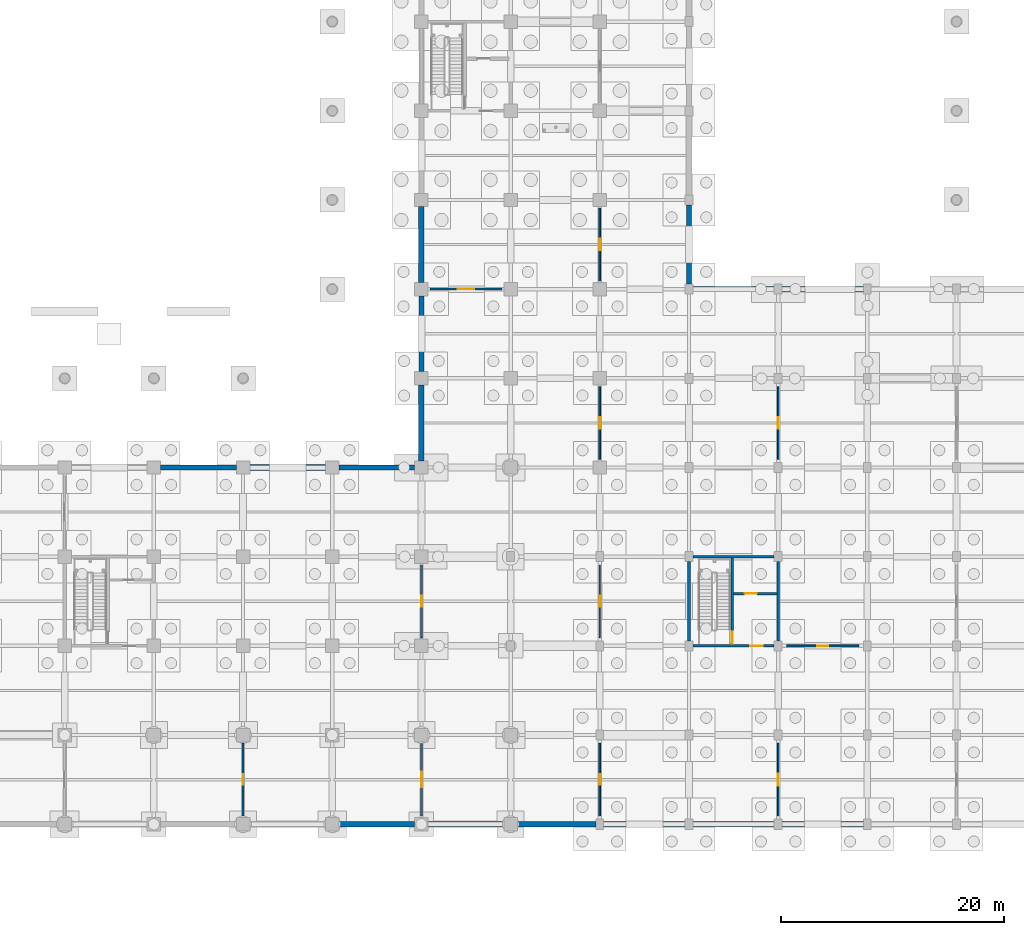
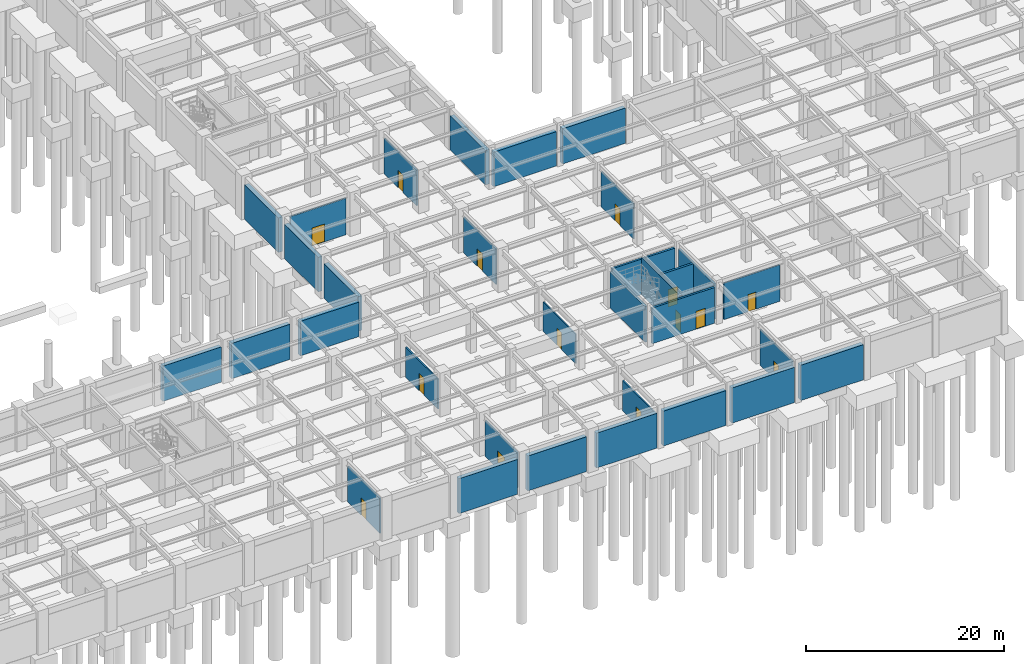
# One storey, part 74 of 97: 32 walls, 14 doors, 14 openings.
"""IFC4 building model written with IfcOpenShell, lengths in metres."""

from ifc_helpers import new_model, si_unit, direction, frame, frame_2d, origin, place, context, subcontext, project, spatial, rectangle, extrude, material, layer, layer_set, type_object, element, fill, save


model = new_model("IFC4")

# Units and contexts
model_context = context("Model", 3, precision=1e-05, world=origin(), true_north=direction((0.0, 1.0)))
body_context = subcontext(model_context, "Body", "Model", "MODEL_VIEW")
ifc_project = project(units=[si_unit("LENGTHUNIT", "METRE"), si_unit("AREAUNIT", "SQUARE_METRE"), si_unit("VOLUMEUNIT", "CUBIC_METRE"), si_unit("PLANEANGLEUNIT", "RADIAN"), si_unit("MASSUNIT", "GRAM", prefix="KILO")], contexts=[model_context])

# Site, building, storey
site_placement = place(None, origin())
site = spatial("IfcSite", under=ifc_project, at=site_placement, CompositionType="ELEMENT")
building_placement = place(site_placement, origin())
building = spatial("IfcBuilding", under=site, at=building_placement, Name="Haebicheon Civic Stadium", CompositionType="ELEMENT")
storey_placement = place(building_placement, frame((0.0, 0.0, -5.39990234375)))
storey = spatial("IfcBuildingStorey", under=building, at=storey_placement, Name="B1", CompositionType="ELEMENT", Elevation=-5.39990234375)

# Wall, opening, door
ifc_material_1 = material(Name="Concrete C40/50", Category="concrete")
ifc_layer_1 = layer(ifc_material_1, 0.239990234375, Name="Concrete C40/50")
ifc_layer_set_1 = layer_set([ifc_layer_1], Name="Concrete C40/50")
wall_type_1 = type_object("IfcWallType", Name="CW-SHR-240", PredefinedType="SHEAR", material=ifc_layer_set_1)
wall_1_placement = place(storey_placement, frame((168.35009765625, 16.0, 0.0), z_axis=(0.0, 0.0, 1.0), x_axis=(1.0, 0.0, 0.0)))
wall_1 = element("IfcWall", 1, at=wall_1_placement, inside=storey, type_object=wall_type_1, material=ifc_layer_set_1, Name="KC-14 B1 south core shear wall", PredefinedType="SHEAR", context=body_context, shape_type="SweptSolid", body=[
    extrude(rectangle(XDim=7.2998046875, YDim=0.239990234375, at=frame_2d((3.64990234375, 0.0))), origin(), (0.0, 0.0, 1.0), 4.389892578125),
])
opening_1_placement = place(wall_1_placement, frame((5.14990234375, 0.0, 0.0)))
opening_1 = element("IfcOpeningElement", 2, at=opening_1_placement, cuts=wall_1, Name="Opening D-B1-KC-14-LOB", PredefinedType="OPENING", context=body_context, shape_type="SweptSolid", body=[
    extrude(rectangle(XDim=1.10009765625, YDim=2.199951171875, at=frame_2d((0.550048828125, 1.10009765625))), frame((0.0, 0.1298828125, 0.0), z_axis=(0.0, -1.0, 0.0), x_axis=(1.0, 0.0, 0.0)), (0.0, 0.0, 1.0), 0.260009765625),
])
ifc_material_2 = material(Name="Galvanised painted steel SM355", Category="steel")
door_type_1 = type_object("IfcDoorType", Name="ID-FD-1100", OperationType="NOTDEFINED", PredefinedType="DOOR", material=ifc_material_2)
door_1_placement = place(opening_1_placement, origin())
door_1 = element("IfcDoor", 3, at=door_1_placement, inside=storey, type_object=door_type_1, material=ifc_material_2, Name="B1 KC-14 lobby fire door", OperationType="SINGLE_SWING_RIGHT", OverallHeight=2.199951171875, OverallWidth=1.10009765625, PredefinedType="DOOR", context=body_context, shape_type="SweptSolid", body=[
    extrude(rectangle(XDim=1.10009765625, YDim=2.199951171875, at=frame_2d((0.550048828125, 1.10009765625))), frame((0.0, 0.02490234375, 0.0), z_axis=(0.0, -1.0, 0.0), x_axis=(1.0, 0.0, 0.0)), (0.0, 0.0, 1.0), 0.050048828125),
])
fill(opening_1, door_1)

# Walls
wall_2_placement = place(storey_placement, frame((168.35009765625, 24.0, 0.0), z_axis=(0.0, 0.0, 1.0), x_axis=(1.0, 0.0, 0.0)))
element("IfcWall", 4, at=wall_2_placement, inside=storey, type_object=wall_type_1, material=ifc_layer_set_1, Name="KC-14 B1 north core shear wall", PredefinedType="SHEAR", context=body_context, shape_type="SweptSolid", body=[
    extrude(rectangle(XDim=7.2998046875, YDim=0.239990234375, at=frame_2d((3.64990234375, 0.0))), origin(), (0.0, 0.0, 1.0), 4.389892578125),
])
for number, where, z_axis, x_axis, name in (
    (5, (168.0, 16.449951171875, 0.0), (0.0, 0.0, 1.0), (0.0, 1.0, 0.0), "KC-14 B1 west core shear wall"),
    (6, (176.0, 16.449951171875, 0.0), (0.0, 0.0, 1.0), (0.0, 1.0, 0.0), "KC-14 B1 east core shear wall"),
):
    element("IfcWall", number, at=place(storey_placement, frame(where, z_axis=z_axis, x_axis=x_axis)), inside=storey, type_object=wall_type_1, material=ifc_layer_set_1, Name=name, PredefinedType="SHEAR", context=body_context, shape_type="SweptSolid", body=[
        extrude(rectangle(XDim=7.10009765625, YDim=0.239990234375, at=frame_2d((3.550048828125, 0.0))), origin(), (0.0, 0.0, 1.0), 4.389892578125),
    ])

# Wall, opening, door
wall_3_placement = place(storey_placement, frame((171.8798828125, 16.1201171875, 0.0), z_axis=(0.0, 0.0, 1.0), x_axis=(0.0, 1.0, 0.0)))
wall_3 = element("IfcWall", 7, at=wall_3_placement, inside=storey, type_object=wall_type_1, material=ifc_layer_set_1, Name="KC-14 B1 stair-lobby dividing shear wall", PredefinedType="SHEAR", context=body_context, shape_type="SweptSolid", body=[
    extrude(rectangle(XDim=7.759765625, YDim=0.239990234375, at=frame_2d((3.8798828125, 0.0))), origin(), (0.0, 0.0, 1.0), 4.58984375),
])
opening_2_placement = place(wall_3_placement, frame((0.080078125, 0.0, 0.0)))
opening_2 = element("IfcOpeningElement", 8, at=opening_2_placement, cuts=wall_3, Name="Opening D-B1-KC-14-STR", PredefinedType="OPENING", context=body_context, shape_type="SweptSolid", body=[
    extrude(rectangle(XDim=1.050048828125, YDim=2.14990234375, at=frame_2d((0.52490234375, 1.074951171875))), frame((0.0, 0.1298828125, 0.0), z_axis=(0.0, -1.0, 0.0), x_axis=(1.0, 0.0, 0.0)), (0.0, 0.0, 1.0), 0.260009765625),
])
ifc_material_3 = material(Name="Galvanised painted steel SM355", Category="steel")
door_type_2 = type_object("IfcDoorType", Name="ID-FD-1050", OperationType="NOTDEFINED", PredefinedType="DOOR", material=ifc_material_3)
door_2_placement = place(opening_2_placement, origin())
door_2 = element("IfcDoor", 9, at=door_2_placement, inside=storey, type_object=door_type_2, material=ifc_material_3, Name="B1 ST-14 stairwell escape door", OperationType="SINGLE_SWING_LEFT", OverallHeight=2.14990234375, OverallWidth=1.050048828125, PredefinedType="DOOR", context=body_context, shape_type="SweptSolid", body=[
    extrude(rectangle(XDim=1.050048828125, YDim=2.14990234375, at=frame_2d((0.52490234375, 1.074951171875))), frame((0.0, 0.02490234375, 0.0), z_axis=(0.0, -1.0, 0.0), x_axis=(1.0, 0.0, 0.0)), (0.0, 0.0, 1.0), 0.050048828125),
])
fill(opening_2, door_2)

wall_4_placement = place(storey_placement, frame((172.0, 20.679931640625, 0.0), z_axis=(0.0, 0.0, 1.0), x_axis=(1.0, 0.0, 0.0)))
wall_4 = element("IfcWall", 10, at=wall_4_placement, inside=storey, type_object=wall_type_1, material=ifc_layer_set_1, Name="KC-14 B1 lift shaft front wall", PredefinedType="SHEAR", context=body_context, shape_type="SweptSolid", body=[
    extrude(rectangle(XDim=3.8798828125, YDim=0.239990234375, at=frame_2d((1.93994140625, 0.0))), origin(), (0.0, 0.0, 1.0), 4.389892578125),
])
opening_3_placement = place(wall_4_placement, frame((1.0, 0.0, 0.0)))
opening_3 = element("IfcOpeningElement", 11, at=opening_3_placement, cuts=wall_4, Name="Opening LD-10-B1", PredefinedType="OPENING", context=body_context, shape_type="SweptSolid", body=[
    extrude(rectangle(XDim=1.10009765625, YDim=2.14990234375, at=frame_2d((0.550048828125, 1.074951171875))), frame((0.0, 0.1298828125, 0.0), z_axis=(0.0, -1.0, 0.0), x_axis=(1.0, 0.0, 0.0)), (0.0, 0.0, 1.0), 0.260009765625),
])
ifc_material_4 = material(Name="Stainless steel 316", Category="steel")
door_type_3 = type_object("IfcDoorType", Name="ID-LD-1100", OperationType="NOTDEFINED", PredefinedType="DOOR", material=ifc_material_4)
door_3_placement = place(opening_3_placement, origin())
door_3 = element("IfcDoor", 12, at=door_3_placement, inside=storey, type_object=door_type_3, material=ifc_material_4, Name="LF-10 lift landing sliding door B1", OperationType="SLIDING_TO_LEFT", OverallHeight=2.14990234375, OverallWidth=1.10009765625, PredefinedType="DOOR", context=body_context, shape_type="SweptSolid", body=[
    extrude(rectangle(XDim=1.10009765625, YDim=2.14990234375, at=frame_2d((0.550048828125, 1.074951171875))), frame((0.0, 0.02490234375, 0.0), z_axis=(0.0, -1.0, 0.0), x_axis=(1.0, 0.0, 0.0)), (0.0, 0.0, 1.0), 0.050048828125),
])
fill(opening_3, door_3)

# Walls
ifc_material_5 = material(Name="Concrete C40/50", Category="concrete")
ifc_layer_2 = layer(ifc_material_5, 0.4599609375, Name="Concrete C40/50")
ifc_layer_set_2 = layer_set([ifc_layer_2], Name="Concrete C40/50")
wall_type_2 = type_object("IfcWallType", Name="EW-RET-460", PredefinedType="STANDARD", material=ifc_layer_set_2)
wall_5_placement = place(storey_placement, frame((120.60009765625, 32.0, 0.0), z_axis=(0.0, 0.0, 1.0), x_axis=(1.0, 0.0, 0.0)))
element("IfcWall", 13, at=wall_5_placement, inside=storey, type_object=wall_type_2, material=ifc_layer_set_2, Name="B1 retaining wall 15-04-N", PredefinedType="STANDARD", context=body_context, shape_type="SweptSolid", body=[
    extrude(rectangle(XDim=6.7998046875, YDim=0.4599609375, at=frame_2d((3.39990234375, 0.0))), origin(), (0.0, 0.0, 1.0), 4.33984375),
])
wall_6_placement = place(storey_placement, frame((136.60009765625, 0.0, 0.0), z_axis=(0.0, 0.0, 1.0), x_axis=(1.0, 0.0, 0.0)))
element("IfcWall", 14, at=wall_6_placement, inside=storey, type_object=wall_type_2, material=ifc_layer_set_2, Name="B1 retaining wall 17-00-S", PredefinedType="STANDARD", context=body_context, shape_type="SweptSolid", body=[
    extrude(rectangle(XDim=6.7998046875, YDim=0.4599609375, at=frame_2d((3.39990234375, 0.0))), origin(), (0.0, 0.0, 1.0), 4.289794921875),
])
for number, where, z_axis, x_axis, name in (
    (15, (136.60009765625, 32.0, 0.0), (0.0, 0.0, 1.0), (1.0, 0.0, 0.0), "B1 retaining wall 17-04-N"),
    (16, (144.0, 40.60009765625, 0.0), (0.0, 0.0, 1.0), (0.0, 1.0, 0.0), "B1 retaining wall 18-05-W"),
):
    element("IfcWall", number, at=place(storey_placement, frame(where, z_axis=z_axis, x_axis=x_axis)), inside=storey, type_object=wall_type_2, material=ifc_layer_set_2, Name=name, PredefinedType="STANDARD", context=body_context, shape_type="SweptSolid", body=[
        extrude(rectangle(XDim=6.7998046875, YDim=0.4599609375, at=frame_2d((3.39990234375, 0.0))), origin(), (0.0, 0.0, 1.0), 4.239990234375),
    ])
wall_7_placement = place(storey_placement, frame((152.60009765625, 0.0, 0.0), z_axis=(0.0, 0.0, 1.0), x_axis=(1.0, 0.0, 0.0)))
element("IfcWall", 17, at=wall_7_placement, inside=storey, type_object=wall_type_2, material=ifc_layer_set_2, Name="B1 retaining wall 19-00-S", PredefinedType="STANDARD", context=body_context, shape_type="SweptSolid", body=[
    extrude(rectangle(XDim=7.0498046875, YDim=0.4599609375, at=frame_2d((3.52490234375, 0.0))), origin(), (0.0, 0.0, 1.0), 4.289794921875),
])
wall_8_placement = place(storey_placement, frame((168.0, 48.449951171875, 0.0), z_axis=(0.0, 0.0, 1.0), x_axis=(0.0, 1.0, 0.0)))
element("IfcWall", 18, at=wall_8_placement, inside=storey, type_object=wall_type_2, material=ifc_layer_set_2, Name="B1 retaining wall 21-06-E", PredefinedType="STANDARD", context=body_context, shape_type="SweptSolid", body=[
    extrude(rectangle(XDim=7.10009765625, YDim=0.4599609375, at=frame_2d((3.550048828125, 0.0))), origin(), (0.0, 0.0, 1.0), 4.239990234375),
])
wall_9_placement = place(storey_placement, frame((168.35009765625, 0.0, 0.0), z_axis=(0.0, 0.0, 1.0), x_axis=(1.0, 0.0, 0.0)))
element("IfcWall", 19, at=wall_9_placement, inside=storey, type_object=wall_type_2, material=ifc_layer_set_2, Name="B1 retaining wall 21-00-S", PredefinedType="STANDARD", context=body_context, shape_type="SweptSolid", body=[
    extrude(rectangle(XDim=7.2998046875, YDim=0.4599609375, at=frame_2d((3.64990234375, 0.0))), origin(), (0.0, 0.0, 1.0), 4.33984375),
])
wall_10_placement = place(storey_placement, frame((168.35009765625, 48.0, 0.0), z_axis=(0.0, 0.0, 1.0), x_axis=(1.0, 0.0, 0.0)))
element("IfcWall", 20, at=wall_10_placement, inside=storey, type_object=wall_type_2, material=ifc_layer_set_2, Name="B1 retaining wall 21-06-N", PredefinedType="STANDARD", context=body_context, shape_type="SweptSolid", body=[
    extrude(rectangle(XDim=7.2998046875, YDim=0.4599609375, at=frame_2d((3.64990234375, 0.0))), origin(), (0.0, 0.0, 1.0), 4.239990234375),
])
ifc_material_6 = material(Name="Concrete C40/50", Category="concrete")
ifc_layer_3 = layer(ifc_material_6, 0.5, Name="Concrete C40/50")
ifc_layer_set_3 = layer_set([ifc_layer_3], Name="Concrete C40/50")
wall_type_3 = type_object("IfcWallType", Name="EW-RET-500", PredefinedType="STANDARD", material=ifc_layer_set_3)
wall_11_placement = place(storey_placement, frame((128.60009765625, 32.0, 0.0), z_axis=(0.0, 0.0, 1.0), x_axis=(1.0, 0.0, 0.0)))
element("IfcWall", 21, at=wall_11_placement, inside=storey, type_object=wall_type_3, material=ifc_layer_set_3, Name="B1 retaining wall 16-04-N", PredefinedType="STANDARD", context=body_context, shape_type="SweptSolid", body=[
    extrude(rectangle(XDim=6.7998046875, YDim=0.5, at=frame_2d((3.39990234375, 0.0))), origin(), (0.0, 0.0, 1.0), 4.33984375),
])
wall_12_placement = place(storey_placement, frame((144.60009765625, 0.0, 0.0), z_axis=(0.0, 0.0, 1.0), x_axis=(1.0, 0.0, 0.0)))
element("IfcWall", 22, at=wall_12_placement, inside=storey, type_object=wall_type_3, material=ifc_layer_set_3, Name="B1 retaining wall 18-00-S", PredefinedType="STANDARD", context=body_context, shape_type="SweptSolid", body=[
    extrude(rectangle(XDim=6.7998046875, YDim=0.5, at=frame_2d((3.39990234375, 0.0))), origin(), (0.0, 0.0, 1.0), 4.289794921875),
])
for number, where, z_axis, x_axis, name in (
    (23, (144.0, 32.60009765625, 0.0), (0.0, 0.0, 1.0), (0.0, 1.0, 0.0), "B1 retaining wall 18-04-W"),
    (24, (144.0, 48.60009765625, 0.0), (0.0, 0.0, 1.0), (0.0, 1.0, 0.0), "B1 retaining wall 18-06-W"),
):
    element("IfcWall", number, at=place(storey_placement, frame(where, z_axis=z_axis, x_axis=x_axis)), inside=storey, type_object=wall_type_3, material=ifc_layer_set_3, Name=name, PredefinedType="STANDARD", context=body_context, shape_type="SweptSolid", body=[
        extrude(rectangle(XDim=6.7998046875, YDim=0.5, at=frame_2d((3.39990234375, 0.0))), origin(), (0.0, 0.0, 1.0), 4.239990234375),
    ])
wall_13_placement = place(storey_placement, frame((160.35009765625, 0.0, 0.0), z_axis=(0.0, 0.0, 1.0), x_axis=(1.0, 0.0, 0.0)))
element("IfcWall", 25, at=wall_13_placement, inside=storey, type_object=wall_type_3, material=ifc_layer_set_3, Name="B1 retaining wall 20-00-S", PredefinedType="STANDARD", context=body_context, shape_type="SweptSolid", body=[
    extrude(rectangle(XDim=7.2998046875, YDim=0.5, at=frame_2d((3.64990234375, 0.0))), origin(), (0.0, 0.0, 1.0), 4.289794921875),
])
for number, where, z_axis, x_axis, name in (
    (26, (176.35009765625, 0.0, 0.0), (0.0, 0.0, 1.0), (1.0, 0.0, 0.0), "B1 retaining wall 22-00-S"),
    (27, (176.35009765625, 48.0, 0.0), (0.0, 0.0, 1.0), (1.0, 0.0, 0.0), "B1 retaining wall 22-06-N"),
):
    element("IfcWall", number, at=place(storey_placement, frame(where, z_axis=z_axis, x_axis=x_axis)), inside=storey, type_object=wall_type_3, material=ifc_layer_set_3, Name=name, PredefinedType="STANDARD", context=body_context, shape_type="SweptSolid", body=[
        extrude(rectangle(XDim=7.2998046875, YDim=0.5, at=frame_2d((3.64990234375, 0.0))), origin(), (0.0, 0.0, 1.0), 4.33984375),
    ])

# Wall, opening, door
ifc_material_7 = material(Name="Gypsum plasterboard on steel studs", Category="gypsum")
ifc_layer_4 = layer(ifc_material_7, 0.1201171875, Name="Gypsum plasterboard on steel studs")
ifc_layer_set_4 = layer_set([ifc_layer_4], Name="Gypsum plasterboard on steel studs")
wall_type_4 = type_object("IfcWallType", Name="IW-PRT-120", PredefinedType="PARTITIONING", material=ifc_layer_set_4)
wall_14_placement = place(storey_placement, frame((160.0, 16.75, 0.0), z_axis=(0.0, 0.0, 1.0), x_axis=(0.0, 1.0, 0.0)))
wall_14 = element("IfcWall", 28, at=wall_14_placement, inside=storey, type_object=wall_type_4, material=ifc_layer_set_4, Name="B1 Broadcast Fibre Patch Room partition wall", PredefinedType="PARTITIONING", context=body_context, shape_type="SweptSolid", body=[
    extrude(rectangle(XDim=6.5, YDim=0.1201171875, at=frame_2d((3.25, 0.0))), origin(), (0.0, 0.0, 1.0), 3.639892578125),
])
opening_4_placement = place(wall_14_placement, frame((2.75, 0.0, 0.0)))
opening_4 = element("IfcOpeningElement", 29, at=opening_4_placement, cuts=wall_14, Name="Opening D-B1-074", PredefinedType="OPENING", context=body_context, shape_type="SweptSolid", body=[
    extrude(rectangle(XDim=1.0, YDim=2.10009765625, at=frame_2d((0.5, 1.050048828125))), frame((0.0, 0.070068359375, 0.0), z_axis=(0.0, -1.0, 0.0), x_axis=(1.0, 0.0, 0.0)), (0.0, 0.0, 1.0), 0.14013671875),
])
ifc_material_8 = material(Name="Engineered hardwood timber", Category="wood")
door_type_4 = type_object("IfcDoorType", Name="ID-RM-1000", OperationType="NOTDEFINED", PredefinedType="DOOR", material=ifc_material_8)
door_4_placement = place(opening_4_placement, origin())
door_4 = element("IfcDoor", 30, at=door_4_placement, inside=storey, type_object=door_type_4, material=ifc_material_8, Name="B1 Broadcast Fibre Patch Room entrance door D-B1-074", OperationType="SINGLE_SWING_RIGHT", OverallHeight=2.10009765625, OverallWidth=1.0, PredefinedType="DOOR", context=body_context, shape_type="SweptSolid", body=[
    extrude(rectangle(XDim=1.0, YDim=2.10009765625, at=frame_2d((0.5, 1.050048828125))), frame((0.0, 0.02490234375, 0.0), z_axis=(0.0, -1.0, 0.0), x_axis=(1.0, 0.0, 0.0)), (0.0, 0.0, 1.0), 0.050048828125),
])
fill(opening_4, door_4)

wall_15_placement = place(storey_placement, frame((176.0, 32.75, 0.0), z_axis=(0.0, 0.0, 1.0), x_axis=(0.0, 1.0, 0.0)))
wall_15 = element("IfcWall", 31, at=wall_15_placement, inside=storey, type_object=wall_type_4, material=ifc_layer_set_4, Name="B1 Broadcast Fibre Patch Room partition wall", PredefinedType="PARTITIONING", context=body_context, shape_type="SweptSolid", body=[
    extrude(rectangle(XDim=6.5, YDim=0.1201171875, at=frame_2d((3.25, 0.0))), origin(), (0.0, 0.0, 1.0), 4.389892578125),
])
opening_5_placement = place(wall_15_placement, frame((2.75, 0.0, 0.0)))
opening_5 = element("IfcOpeningElement", 32, at=opening_5_placement, cuts=wall_15, Name="Opening D-B1-086", PredefinedType="OPENING", context=body_context, shape_type="SweptSolid", body=[
    extrude(rectangle(XDim=1.0, YDim=2.10009765625, at=frame_2d((0.5, 1.050048828125))), frame((0.0, 0.070068359375, 0.0), z_axis=(0.0, -1.0, 0.0), x_axis=(1.0, 0.0, 0.0)), (0.0, 0.0, 1.0), 0.14013671875),
])
door_5_placement = place(opening_5_placement, origin())
door_5 = element("IfcDoor", 33, at=door_5_placement, inside=storey, type_object=door_type_4, material=ifc_material_8, Name="B1 Broadcast Fibre Patch Room entrance door D-B1-086", OperationType="SINGLE_SWING_RIGHT", OverallHeight=2.10009765625, OverallWidth=1.0, PredefinedType="DOOR", context=body_context, shape_type="SweptSolid", body=[
    extrude(rectangle(XDim=1.0, YDim=2.10009765625, at=frame_2d((0.5, 1.050048828125))), frame((0.0, 0.02490234375, 0.0), z_axis=(0.0, -1.0, 0.0), x_axis=(1.0, 0.0, 0.0)), (0.0, 0.0, 1.0), 0.050048828125),
])
fill(opening_5, door_5)

ifc_material_9 = material(Name="Gypsum plasterboard on steel studs", Category="gypsum")
ifc_layer_5 = layer(ifc_material_9, 0.14990234375, Name="Gypsum plasterboard on steel studs")
ifc_layer_set_5 = layer_set([ifc_layer_5], Name="Gypsum plasterboard on steel studs")
wall_type_5 = type_object("IfcWallType", Name="IW-PRT-150", PredefinedType="PARTITIONING", material=ifc_layer_set_5)
wall_16_placement = place(storey_placement, frame((160.0, 32.75, 0.0), z_axis=(0.0, 0.0, 1.0), x_axis=(0.0, 1.0, 0.0)))
wall_16 = element("IfcWall", 34, at=wall_16_placement, inside=storey, type_object=wall_type_5, material=ifc_layer_set_5, Name="B1 Athlete Hydrotherapy Recovery Suite partition wall", PredefinedType="PARTITIONING", context=body_context, shape_type="SweptSolid", body=[
    extrude(rectangle(XDim=6.5, YDim=0.14990234375, at=frame_2d((3.25, 0.0))), origin(), (0.0, 0.0, 1.0), 4.389892578125),
])
opening_6_placement = place(wall_16_placement, frame((2.72509765625, 0.0, 0.0)))
opening_6 = element("IfcOpeningElement", 35, at=opening_6_placement, cuts=wall_16, Name="Opening D-B1-075", PredefinedType="OPENING", context=body_context, shape_type="SweptSolid", body=[
    extrude(rectangle(XDim=1.050048828125, YDim=2.14990234375, at=frame_2d((0.52490234375, 1.074951171875))), frame((0.0, 0.0849609375, 0.0), z_axis=(0.0, -1.0, 0.0), x_axis=(1.0, 0.0, 0.0)), (0.0, 0.0, 1.0), 0.169921875),
])
ifc_material_10 = material(Name="Engineered hardwood timber", Category="wood")
door_type_5 = type_object("IfcDoorType", Name="ID-RM-1050", OperationType="NOTDEFINED", PredefinedType="DOOR", material=ifc_material_10)
door_6_placement = place(opening_6_placement, origin())
door_6 = element("IfcDoor", 36, at=door_6_placement, inside=storey, type_object=door_type_5, material=ifc_material_10, Name="B1 Athlete Hydrotherapy Recovery Suite entrance door D-B1-075", OperationType="SINGLE_SWING_LEFT", OverallHeight=2.14990234375, OverallWidth=1.050048828125, PredefinedType="DOOR", context=body_context, shape_type="SweptSolid", body=[
    extrude(rectangle(XDim=1.050048828125, YDim=2.14990234375, at=frame_2d((0.52490234375, 1.074951171875))), frame((0.0, 0.02490234375, 0.0), z_axis=(0.0, -1.0, 0.0), x_axis=(1.0, 0.0, 0.0)), (0.0, 0.0, 1.0), 0.050048828125),
])
fill(opening_6, door_6)

wall_17_placement = place(storey_placement, frame((176.0, 0.75, 0.0), z_axis=(0.0, 0.0, 1.0), x_axis=(0.0, 1.0, 0.0)))
wall_17 = element("IfcWall", 37, at=wall_17_placement, inside=storey, type_object=wall_type_5, material=ifc_layer_set_5, Name="B1 Athlete Hydrotherapy Recovery Suite partition wall", PredefinedType="PARTITIONING", context=body_context, shape_type="SweptSolid", body=[
    extrude(rectangle(XDim=6.5, YDim=0.14990234375, at=frame_2d((3.25, 0.0))), origin(), (0.0, 0.0, 1.0), 4.389892578125),
])
opening_7_placement = place(wall_17_placement, frame((2.72509765625, 0.0, 0.0)))
opening_7 = element("IfcOpeningElement", 38, at=opening_7_placement, cuts=wall_17, Name="Opening D-B1-084", PredefinedType="OPENING", context=body_context, shape_type="SweptSolid", body=[
    extrude(rectangle(XDim=1.050048828125, YDim=2.14990234375, at=frame_2d((0.52490234375, 1.074951171875))), frame((0.0, 0.0849609375, 0.0), z_axis=(0.0, -1.0, 0.0), x_axis=(1.0, 0.0, 0.0)), (0.0, 0.0, 1.0), 0.169921875),
])
door_7_placement = place(opening_7_placement, origin())
door_7 = element("IfcDoor", 39, at=door_7_placement, inside=storey, type_object=door_type_5, material=ifc_material_10, Name="B1 Athlete Hydrotherapy Recovery Suite entrance door D-B1-084", OperationType="SINGLE_SWING_RIGHT", OverallHeight=2.14990234375, OverallWidth=1.050048828125, PredefinedType="DOOR", context=body_context, shape_type="SweptSolid", body=[
    extrude(rectangle(XDim=1.050048828125, YDim=2.14990234375, at=frame_2d((0.52490234375, 1.074951171875))), frame((0.0, 0.02490234375, 0.0), z_axis=(0.0, -1.0, 0.0), x_axis=(1.0, 0.0, 0.0)), (0.0, 0.0, 1.0), 0.050048828125),
])
fill(opening_7, door_7)

ifc_material_11 = material(Name="Concrete C35/45", Category="concrete")
ifc_layer_6 = layer(ifc_material_11, 0.159912109375, Name="Concrete C35/45")
ifc_layer_set_6 = layer_set([ifc_layer_6], Name="Concrete C35/45")
wall_type_6 = type_object("IfcWallType", Name="IW-PRT-160", PredefinedType="PARTITIONING", material=ifc_layer_set_6)
wall_18_placement = place(storey_placement, frame((144.0, 16.75, 0.0), z_axis=(0.0, 0.0, 1.0), x_axis=(0.0, 1.0, 0.0)))
wall_18 = element("IfcWall", 40, at=wall_18_placement, inside=storey, type_object=wall_type_6, material=ifc_layer_set_6, Name="B1 Hospitality Cellar and Dry Store partition wall", PredefinedType="PARTITIONING", context=body_context, shape_type="SweptSolid", body=[
    extrude(rectangle(XDim=6.5, YDim=0.159912109375, at=frame_2d((3.25, 0.0))), origin(), (0.0, 0.0, 1.0), 3.68994140625),
])
opening_8_placement = place(wall_18_placement, frame((2.75, 0.0, 0.0)))
opening_8 = element("IfcOpeningElement", 41, at=opening_8_placement, cuts=wall_18, Name="Opening D-B1-070", PredefinedType="OPENING", context=body_context, shape_type="SweptSolid", body=[
    extrude(rectangle(XDim=1.0, YDim=2.10009765625, at=frame_2d((0.5, 1.050048828125))), frame((0.0, 0.08984375, 0.0), z_axis=(0.0, -1.0, 0.0), x_axis=(1.0, 0.0, 0.0)), (0.0, 0.0, 1.0), 0.179931640625),
])
door_8_placement = place(opening_8_placement, origin())
door_8 = element("IfcDoor", 42, at=door_8_placement, inside=storey, type_object=door_type_4, material=ifc_material_8, Name="B1 Hospitality Cellar and Dry Store entrance door D-B1-070", OperationType="SINGLE_SWING_RIGHT", OverallHeight=2.10009765625, OverallWidth=1.0, PredefinedType="DOOR", context=body_context, shape_type="SweptSolid", body=[
    extrude(rectangle(XDim=1.0, YDim=2.10009765625, at=frame_2d((0.5, 1.050048828125))), frame((0.0, 0.02490234375, 0.0), z_axis=(0.0, -1.0, 0.0), x_axis=(1.0, 0.0, 0.0)), (0.0, 0.0, 1.0), 0.050048828125),
])
fill(opening_8, door_8)

wall_19_placement = place(storey_placement, frame((160.0, 0.75, 0.0), z_axis=(0.0, 0.0, 1.0), x_axis=(0.0, 1.0, 0.0)))
wall_19 = element("IfcWall", 43, at=wall_19_placement, inside=storey, type_object=wall_type_6, material=ifc_layer_set_6, Name="B1 Hospitality Cellar and Dry Store partition wall", PredefinedType="PARTITIONING", context=body_context, shape_type="SweptSolid", body=[
    extrude(rectangle(XDim=6.5, YDim=0.159912109375, at=frame_2d((3.25, 0.0))), origin(), (0.0, 0.0, 1.0), 3.68994140625),
])
opening_9_placement = place(wall_19_placement, frame((2.77490234375, 0.0, 0.0)))
opening_9 = element("IfcOpeningElement", 44, at=opening_9_placement, cuts=wall_19, Name="Opening D-B1-073", PredefinedType="OPENING", context=body_context, shape_type="SweptSolid", body=[
    extrude(rectangle(XDim=0.949951171875, YDim=2.10009765625, at=frame_2d((0.47509765625, 1.050048828125))), frame((0.0, 0.08984375, 0.0), z_axis=(0.0, -1.0, 0.0), x_axis=(1.0, 0.0, 0.0)), (0.0, 0.0, 1.0), 0.179931640625),
])
ifc_material_12 = material(Name="Engineered hardwood timber", Category="wood")
door_type_6 = type_object("IfcDoorType", Name="ID-RM-0950", OperationType="NOTDEFINED", PredefinedType="DOOR", material=ifc_material_12)
door_9_placement = place(opening_9_placement, origin())
door_9 = element("IfcDoor", 45, at=door_9_placement, inside=storey, type_object=door_type_6, material=ifc_material_12, Name="B1 Hospitality Cellar and Dry Store entrance door D-B1-073", OperationType="SINGLE_SWING_LEFT", OverallHeight=2.10009765625, OverallWidth=0.949951171875, PredefinedType="DOOR", context=body_context, shape_type="SweptSolid", body=[
    extrude(rectangle(XDim=0.949951171875, YDim=2.10009765625, at=frame_2d((0.47509765625, 1.050048828125))), frame((0.0, 0.02490234375, 0.0), z_axis=(0.0, -1.0, 0.0), x_axis=(1.0, 0.0, 0.0)), (0.0, 0.0, 1.0), 0.050048828125),
])
fill(opening_9, door_9)

wall_20_placement = place(storey_placement, frame((160.0, 48.75, 0.0), z_axis=(0.0, 0.0, 1.0), x_axis=(0.0, 1.0, 0.0)))
wall_20 = element("IfcWall", 46, at=wall_20_placement, inside=storey, type_object=wall_type_6, material=ifc_layer_set_6, Name="B1 Hospitality Cellar and Dry Store partition wall", PredefinedType="PARTITIONING", context=body_context, shape_type="SweptSolid", body=[
    extrude(rectangle(XDim=6.5, YDim=0.159912109375, at=frame_2d((3.25, 0.0))), origin(), (0.0, 0.0, 1.0), 4.389892578125),
])
opening_10_placement = place(wall_20_placement, frame((2.75, 0.0, 0.0)))
opening_10 = element("IfcOpeningElement", 47, at=opening_10_placement, cuts=wall_20, Name="Opening D-B1-076", PredefinedType="OPENING", context=body_context, shape_type="SweptSolid", body=[
    extrude(rectangle(XDim=1.0, YDim=2.10009765625, at=frame_2d((0.5, 1.050048828125))), frame((0.0, 0.08984375, 0.0), z_axis=(0.0, -1.0, 0.0), x_axis=(1.0, 0.0, 0.0)), (0.0, 0.0, 1.0), 0.179931640625),
])
door_10_placement = place(opening_10_placement, origin())
door_10 = element("IfcDoor", 48, at=door_10_placement, inside=storey, type_object=door_type_4, material=ifc_material_8, Name="B1 Hospitality Cellar and Dry Store entrance door D-B1-076", OperationType="SINGLE_SWING_RIGHT", OverallHeight=2.10009765625, OverallWidth=1.0, PredefinedType="DOOR", context=body_context, shape_type="SweptSolid", body=[
    extrude(rectangle(XDim=1.0, YDim=2.10009765625, at=frame_2d((0.5, 1.050048828125))), frame((0.0, 0.02490234375, 0.0), z_axis=(0.0, -1.0, 0.0), x_axis=(1.0, 0.0, 0.0)), (0.0, 0.0, 1.0), 0.050048828125),
])
fill(opening_10, door_10)

wall_21_placement = place(storey_placement, frame((176.75, 16.0, 0.0), z_axis=(0.0, 0.0, 1.0), x_axis=(1.0, 0.0, 0.0)))
wall_21 = element("IfcWall", 49, at=wall_21_placement, inside=storey, type_object=wall_type_6, material=ifc_layer_set_6, Name="B1 Hospitality Cellar and Dry Store partition wall", PredefinedType="PARTITIONING", context=body_context, shape_type="SweptSolid", body=[
    extrude(rectangle(XDim=6.5, YDim=0.159912109375, at=frame_2d((3.25, 0.0))), origin(), (0.0, 0.0, 1.0), 4.489990234375),
])
opening_11_placement = place(wall_21_placement, frame((2.77490234375, 0.0, 0.0)))
opening_11 = element("IfcOpeningElement", 50, at=opening_11_placement, cuts=wall_21, Name="Opening D-B1-085", PredefinedType="OPENING", context=body_context, shape_type="SweptSolid", body=[
    extrude(rectangle(XDim=0.949951171875, YDim=2.10009765625, at=frame_2d((0.47509765625, 1.050048828125))), frame((0.0, 0.08984375, 0.0), z_axis=(0.0, -1.0, 0.0), x_axis=(1.0, 0.0, 0.0)), (0.0, 0.0, 1.0), 0.179931640625),
])
door_11_placement = place(opening_11_placement, origin())
door_11 = element("IfcDoor", 51, at=door_11_placement, inside=storey, type_object=door_type_6, material=ifc_material_12, Name="B1 Hospitality Cellar and Dry Store entrance door D-B1-085", OperationType="SINGLE_SWING_LEFT", OverallHeight=2.10009765625, OverallWidth=0.949951171875, PredefinedType="DOOR", context=body_context, shape_type="SweptSolid", body=[
    extrude(rectangle(XDim=0.949951171875, YDim=2.10009765625, at=frame_2d((0.47509765625, 1.050048828125))), frame((0.0, 0.02490234375, 0.0), z_axis=(0.0, -1.0, 0.0), x_axis=(1.0, 0.0, 0.0)), (0.0, 0.0, 1.0), 0.050048828125),
])
fill(opening_11, door_11)

wall_22_placement = place(storey_placement, frame((128.0, 0.75, 0.0), z_axis=(0.0, 0.0, 1.0), x_axis=(0.0, 1.0, 0.0)))
wall_22 = element("IfcWall", 52, at=wall_22_placement, inside=storey, type_object=wall_type_6, material=ifc_layer_set_6, Name="B1 Turf Maintenance Equipment Store partition wall", PredefinedType="PARTITIONING", context=body_context, shape_type="SweptSolid", body=[
    extrude(rectangle(XDim=6.5, YDim=0.159912109375, at=frame_2d((3.25, 0.0))), origin(), (0.0, 0.0, 1.0), 4.33984375),
])
opening_12_placement = place(wall_22_placement, frame((2.77490234375, 0.0, 0.0)))
opening_12 = element("IfcOpeningElement", 53, at=opening_12_placement, cuts=wall_22, Name="Opening D-B1-111", PredefinedType="OPENING", context=body_context, shape_type="SweptSolid", body=[
    extrude(rectangle(XDim=0.949951171875, YDim=2.10009765625, at=frame_2d((0.47509765625, 1.050048828125))), frame((0.0, 0.08984375, 0.0), z_axis=(0.0, -1.0, 0.0), x_axis=(1.0, 0.0, 0.0)), (0.0, 0.0, 1.0), 0.179931640625),
])
door_12_placement = place(opening_12_placement, origin())
door_12 = element("IfcDoor", 54, at=door_12_placement, inside=storey, type_object=door_type_6, material=ifc_material_12, Name="B1 Turf Maintenance Equipment Store entrance door D-B1-111", OperationType="SINGLE_SWING_LEFT", OverallHeight=2.10009765625, OverallWidth=0.949951171875, PredefinedType="DOOR", context=body_context, shape_type="SweptSolid", body=[
    extrude(rectangle(XDim=0.949951171875, YDim=2.10009765625, at=frame_2d((0.47509765625, 1.050048828125))), frame((0.0, 0.02490234375, 0.0), z_axis=(0.0, -1.0, 0.0), x_axis=(1.0, 0.0, 0.0)), (0.0, 0.0, 1.0), 0.050048828125),
])
fill(opening_12, door_12)

ifc_material_13 = material(Name="Concrete C35/45", Category="concrete")
ifc_layer_7 = layer(ifc_material_13, 0.179931640625, Name="Concrete C35/45")
ifc_layer_set_7 = layer_set([ifc_layer_7], Name="Concrete C35/45")
wall_type_7 = type_object("IfcWallType", Name="IW-PRT-180", PredefinedType="PARTITIONING", material=ifc_layer_set_7)
wall_23_placement = place(storey_placement, frame((144.75, 48.0, 0.0), z_axis=(0.0, 0.0, 1.0), x_axis=(1.0, 0.0, 0.0)))
wall_23 = element("IfcWall", 55, at=wall_23_placement, inside=storey, type_object=wall_type_7, material=ifc_layer_set_7, Name="B1 Central Catering Production Kitchen partition wall", PredefinedType="PARTITIONING", context=body_context, shape_type="SweptSolid", body=[
    extrude(rectangle(XDim=6.5, YDim=0.179931640625, at=frame_2d((3.25, 0.0))), origin(), (0.0, 0.0, 1.0), 4.489990234375),
])
opening_13_placement = place(wall_23_placement, frame((2.5, 0.0, 0.0)))
opening_13 = element("IfcOpeningElement", 56, at=opening_13_placement, cuts=wall_23, Name="Opening D-B1-040", PredefinedType="OPENING", context=body_context, shape_type="SweptSolid", body=[
    extrude(rectangle(XDim=1.5, YDim=2.199951171875, at=frame_2d((0.75, 1.10009765625))), frame((0.0, 0.099853515625, 0.0), z_axis=(0.0, -1.0, 0.0), x_axis=(1.0, 0.0, 0.0)), (0.0, 0.0, 1.0), 0.199951171875),
])
ifc_material_14 = material(Name="Galvanised painted steel SM355", Category="steel")
door_type_7 = type_object("IfcDoorType", Name="ID-FD-1500", OperationType="NOTDEFINED", PredefinedType="DOOR", material=ifc_material_14)
door_13_placement = place(opening_13_placement, origin())
door_13 = element("IfcDoor", 57, at=door_13_placement, inside=storey, type_object=door_type_7, material=ifc_material_14, Name="B1 Central Catering Production Kitchen entrance door D-B1-040", OperationType="SINGLE_SWING_RIGHT", OverallHeight=2.199951171875, OverallWidth=1.5, PredefinedType="DOOR", context=body_context, shape_type="SweptSolid", body=[
    extrude(rectangle(XDim=1.5, YDim=2.199951171875, at=frame_2d((0.75, 1.10009765625))), frame((0.0, 0.02490234375, 0.0), z_axis=(0.0, -1.0, 0.0), x_axis=(1.0, 0.0, 0.0)), (0.0, 0.0, 1.0), 0.050048828125),
])
fill(opening_13, door_13)

wall_24_placement = place(storey_placement, frame((144.0, 0.75, 0.0), z_axis=(0.0, 0.0, 1.0), x_axis=(0.0, 1.0, 0.0)))
wall_24 = element("IfcWall", 58, at=wall_24_placement, inside=storey, type_object=wall_type_7, material=ifc_layer_set_7, Name="B1 Rainwater Harvesting Cistern Plant partition wall", PredefinedType="PARTITIONING", context=body_context, shape_type="SweptSolid", body=[
    extrude(rectangle(XDim=6.5, YDim=0.179931640625, at=frame_2d((3.25, 0.0))), origin(), (0.0, 0.0, 1.0), 4.33984375),
])
opening_14_placement = place(wall_24_placement, frame((2.550048828125, 0.0, 0.0)))
opening_14 = element("IfcOpeningElement", 59, at=opening_14_placement, cuts=wall_24, Name="Opening D-B1-112", PredefinedType="OPENING", context=body_context, shape_type="SweptSolid", body=[
    extrude(rectangle(XDim=1.39990234375, YDim=2.199951171875, at=frame_2d((0.699951171875, 1.10009765625))), frame((0.0, 0.099853515625, 0.0), z_axis=(0.0, -1.0, 0.0), x_axis=(1.0, 0.0, 0.0)), (0.0, 0.0, 1.0), 0.199951171875),
])
ifc_material_15 = material(Name="Galvanised painted steel SM355", Category="steel")
door_type_8 = type_object("IfcDoorType", Name="ID-PLT-1400", OperationType="NOTDEFINED", PredefinedType="DOOR", material=ifc_material_15)
door_14_placement = place(opening_14_placement, origin())
door_14 = element("IfcDoor", 60, at=door_14_placement, inside=storey, type_object=door_type_8, material=ifc_material_15, Name="B1 Rainwater Harvesting Cistern Plant entrance door D-B1-112", OperationType="SINGLE_SWING_RIGHT", OverallHeight=2.199951171875, OverallWidth=1.39990234375, PredefinedType="DOOR", context=body_context, shape_type="SweptSolid", body=[
    extrude(rectangle(XDim=1.39990234375, YDim=2.199951171875, at=frame_2d((0.699951171875, 1.10009765625))), frame((0.0, 0.02490234375, 0.0), z_axis=(0.0, -1.0, 0.0), x_axis=(1.0, 0.0, 0.0)), (0.0, 0.0, 1.0), 0.050048828125),
])
fill(opening_14, door_14)

save(model, "model.ifc")
